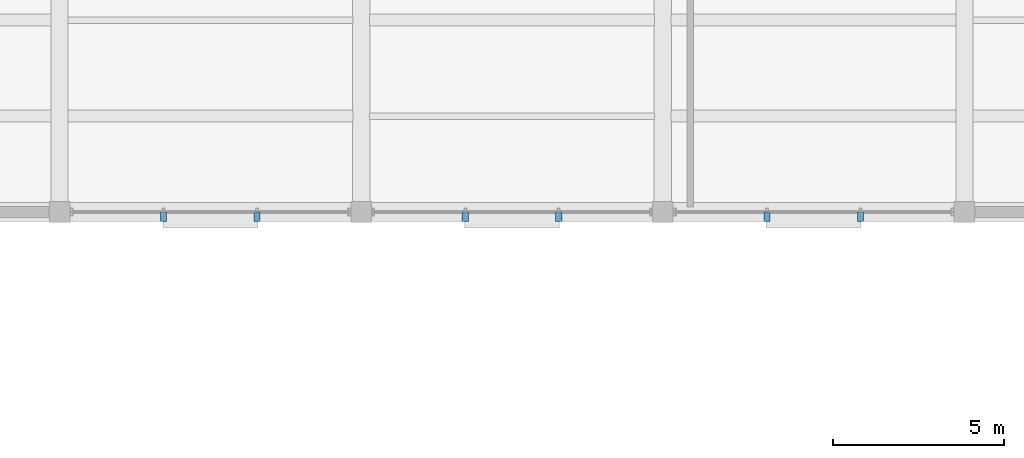
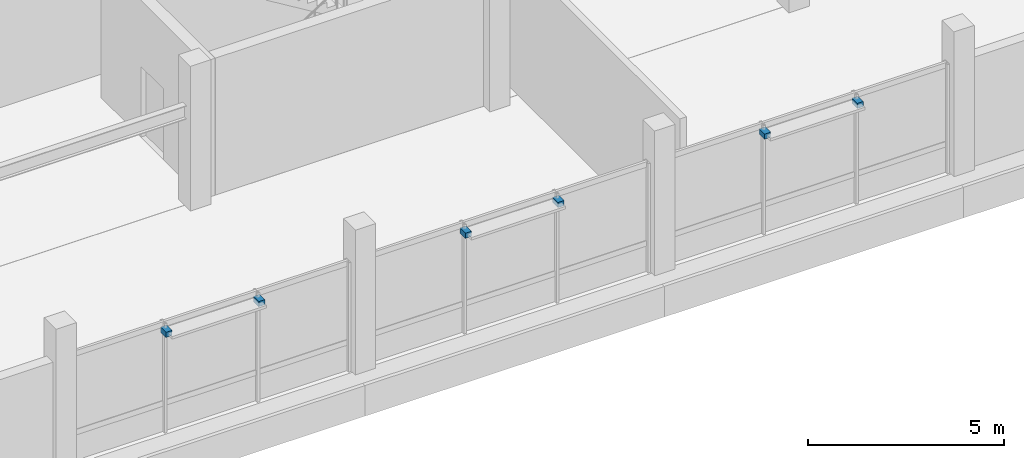
# One storey, part 73 of 77: 6 discrete accessories.
"""IFC4 building model written with IfcOpenShell, lengths in metres."""

from ifc_helpers import new_model, si_unit, direction, frame, origin, origin_2d, place, context, subcontext, project, spatial, rectangle, extrude, material, type_object, element, save


model = new_model("IFC4")

# Units and contexts
model_context = context("Model", 3, precision=1e-05, world=origin(), true_north=direction((0.0, 1.0)))
body_context = subcontext(model_context, "Body", "Model", "MODEL_VIEW")
ifc_project = project(units=[si_unit("LENGTHUNIT", "METRE"), si_unit("AREAUNIT", "SQUARE_METRE"), si_unit("VOLUMEUNIT", "CUBIC_METRE"), si_unit("PLANEANGLEUNIT", "RADIAN"), si_unit("MASSUNIT", "GRAM", prefix="KILO")], contexts=[model_context])

# Site, building, storey
site_placement = place(None, origin())
site = spatial("IfcSite", under=ifc_project, at=site_placement, CompositionType="ELEMENT")
building_placement = place(site_placement, origin())
building = spatial("IfcBuilding", under=site, at=building_placement, Name="Meriwether Solvik Hall", CompositionType="ELEMENT")
storey_placement = place(building_placement, frame((0.0, 0.0, 9.89990234375)))
storey = spatial("IfcBuildingStorey", under=building, at=storey_placement, Name="L02", CompositionType="ELEMENT", Elevation=9.89990234375)

# Discrete accessories
ifc_material = material(Name="Steel A36 Galvanised", Category="steel")
discrete_accessory_type = type_object("IfcDiscreteAccessoryType", Name="ACC-BRK-STL", PredefinedType="BRACKET", material=ifc_material)
for number, where, z_axis, x_axis, name in (
    (1, (137.562744140625, 49.860107421875, 3.09521484375), (0.0, 0.0, 1.0), (-1.0, 0.0, 0.0), "Sunshade Outrigger Bracket wing_XF_15_8-1"),
    (2, (134.83740234375, 49.860107421875, 3.09521484375), (0.0, 0.0, 1.0), (-1.0, 0.0, 0.0), "Sunshade Outrigger Bracket wing_XF_15_8-2"),
    (3, (146.362548828125, 49.860107421875, 3.09521484375), (0.0, 0.0, 1.0), (-1.0, 0.0, 0.0), "Sunshade Outrigger Bracket wing_XF_16_9-1"),
    (4, (143.637451171875, 49.860107421875, 3.09521484375), (0.0, 0.0, 1.0), (-1.0, 0.0, 0.0), "Sunshade Outrigger Bracket wing_XF_16_9-2"),
    (5, (155.16259765625, 49.860107421875, 3.09521484375), (0.0, 0.0, 1.0), (-1.0, 0.0, 0.0), "Sunshade Outrigger Bracket wing_XF_17_10-1"),
    (6, (152.437255859375, 49.860107421875, 3.09521484375), (0.0, 0.0, 1.0), (-1.0, 0.0, 0.0), "Sunshade Outrigger Bracket wing_XF_17_10-2"),
):
    element("IfcDiscreteAccessory", number, at=place(storey_placement, frame(where, z_axis=z_axis, x_axis=x_axis)), inside=storey, type_object=discrete_accessory_type, Name=name, PredefinedType="BRACKET", context=body_context, shape_type="SweptSolid", body=[
        extrude(rectangle(XDim=0.179931640625, YDim=0.280029296875, at=origin_2d()), origin(), (0.0, 0.0, 1.0), 0.159912109375),
    ])

save(model, "model.ifc")
